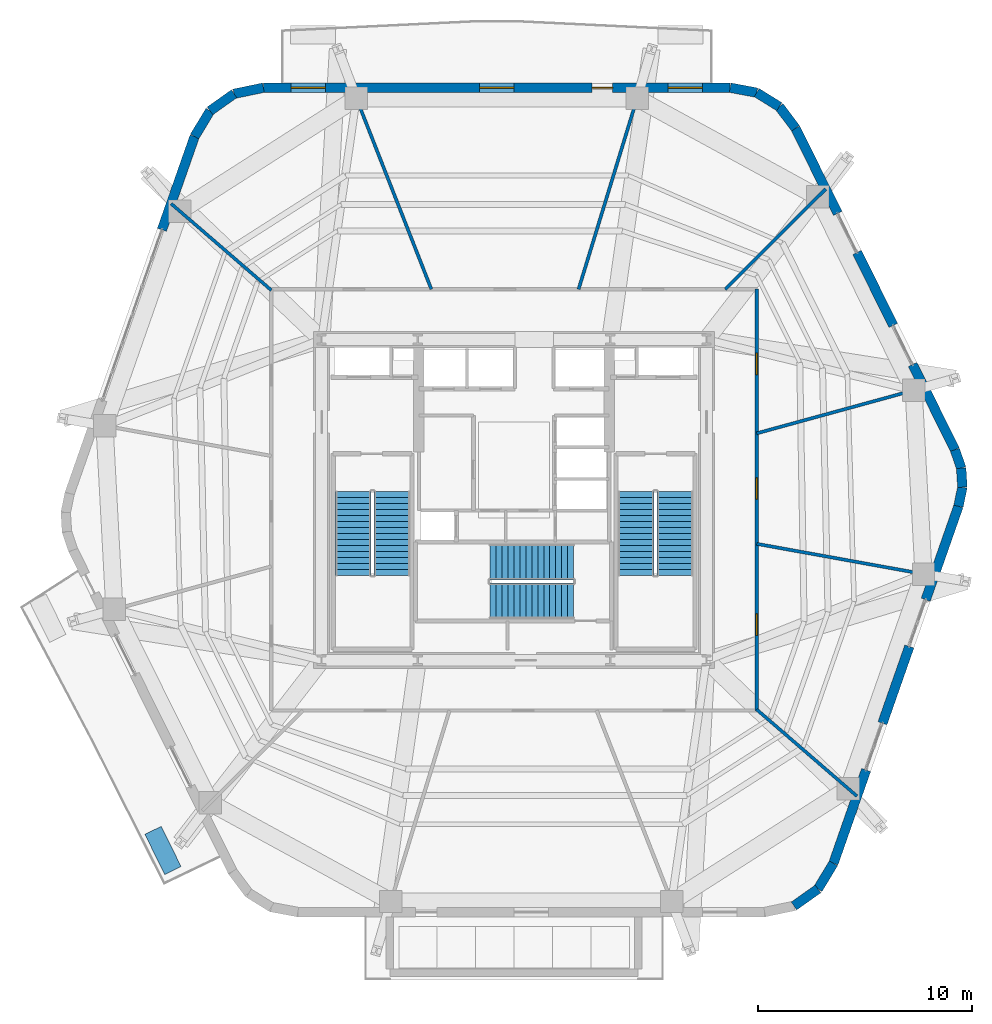
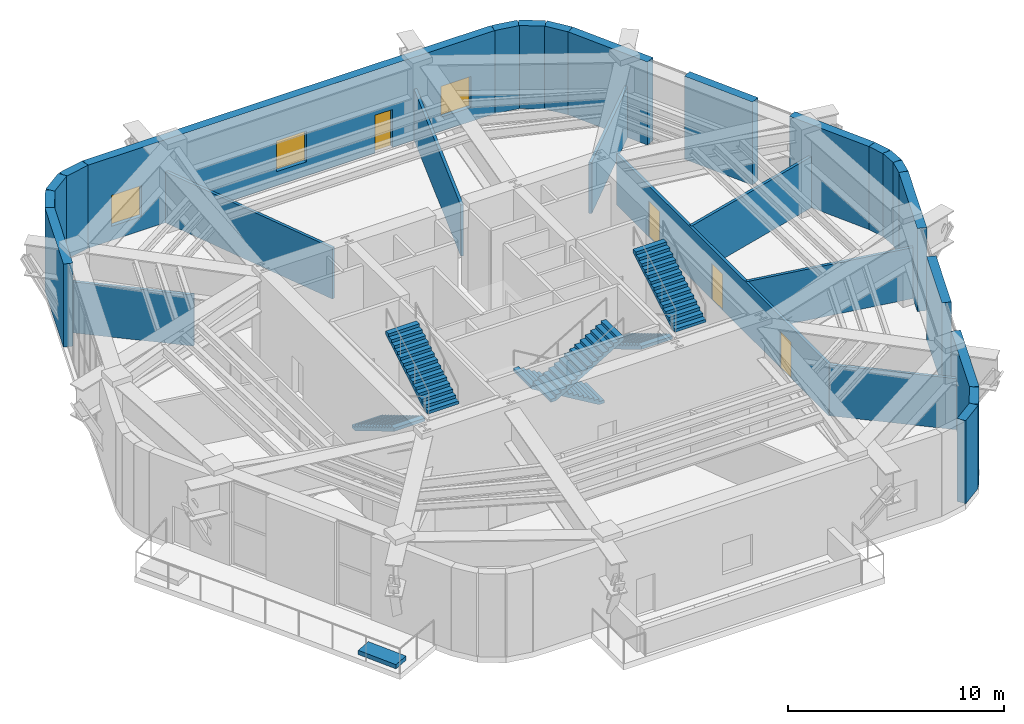
# One storey, part 15 of 18: 27 walls, 6 stair flights, 4 doors, 3 windows, 1 discrete accessory, 7 openings, 3 elements without a shape of their own.
"""IFC4 building model written with IfcOpenShell, lengths in metres."""

from ifc_helpers import new_model, si_unit, direction, frame, frame_2d, origin, origin_2d, place, context, subcontext, project, spatial, polyline, rectangle, outline, extrude, material, layer, layer_set, type_object, element, fill, aggregate, save


model = new_model("IFC4")

# Units and contexts
model_context = context("Model", 3, precision=1e-05, world=origin(), true_north=direction((0.0, 1.0)))
body_context = subcontext(model_context, "Body", "Model", "MODEL_VIEW")
ifc_project = project(units=[si_unit("LENGTHUNIT", "METRE"), si_unit("AREAUNIT", "SQUARE_METRE"), si_unit("VOLUMEUNIT", "CUBIC_METRE"), si_unit("PLANEANGLEUNIT", "RADIAN"), si_unit("MASSUNIT", "GRAM", prefix="KILO")], contexts=[model_context])

# Site, building, storey
site_placement = place(None, origin())
site = spatial("IfcSite", under=ifc_project, at=site_placement, CompositionType="ELEMENT")
building_placement = place(site_placement, origin())
building = spatial("IfcBuilding", under=site, at=building_placement, Name="Kilnhurst Terrace Hotel", CompositionType="ELEMENT")
storey_placement = place(building_placement, frame((0.0, 0.0, 201.5)))
storey = spatial("IfcBuildingStorey", under=building, at=storey_placement, Name="L50", CompositionType="ELEMENT", Elevation=201.5)

# Walls
ifc_material_1 = material(Name="Precast concrete C40/50", Category="concrete")
ifc_layer_1 = layer(ifc_material_1, 0.449951171875, Name="Precast concrete C40/50")
ifc_layer_set_1 = layer_set([ifc_layer_1], Name="Precast concrete C40/50")
wall_type_1 = type_object("IfcWallType", Name="WL-BRK-450", PredefinedType="SOLIDWALL", material=ifc_layer_set_1)
wall_1_placement = place(storey_placement, frame((13.091064453125, -18.989013671875, 0.0), z_axis=(0.0, 0.0, 1.0), x_axis=(0.815574637848, 0.578651890258, 0.0)))
element("IfcWall", 1, at=wall_1_placement, inside=storey, type_object=wall_type_1, Name="L50 Rounded Corner Brick Wall C2.2", PredefinedType="SOLIDWALL", context=body_context, shape_type="SweptSolid", body=[
    extrude(rectangle(XDim=1.376708984375, YDim=0.449951171875, at=frame_2d((0.6884765625, 0.0))), origin(), (0.0, 0.0, 1.0), 4.699951171875),
])
wall_2_placement = place(storey_placement, frame((14.2138671875, -18.1923828125, 0.0), z_axis=(0.0, 0.0, 1.0), x_axis=(0.516340945502, 0.856383108193, 0.0)))
element("IfcWall", 2, at=wall_2_placement, inside=storey, type_object=wall_type_1, Name="L50 Rounded Corner Brick Wall C2.3", PredefinedType="SOLIDWALL", context=body_context, shape_type="SweptSolid", body=[
    extrude(rectangle(XDim=1.400146484375, YDim=0.449951171875, at=frame_2d((0.7001953125, 0.0))), origin(), (0.0, 0.0, 1.0), 4.699951171875),
])
wall_3_placement = place(storey_placement, frame((20.78173828125, -0.298095703125, 0.0), z_axis=(0.0, 0.0, 1.0), x_axis=(0.202570068411, 0.979267771033, 0.0)))
element("IfcWall", 3, at=wall_3_placement, inside=storey, type_object=wall_type_1, Name="L50 Rounded Corner Brick Wall C3.1", PredefinedType="SOLIDWALL", context=body_context, shape_type="SweptSolid", body=[
    extrude(rectangle(XDim=0.90869140625, YDim=0.449951171875, at=frame_2d((0.454345703125, 0.0))), origin(), (0.0, 0.0, 1.0), 4.699951171875),
])
wall_4_placement = place(storey_placement, frame((20.9658203125, 0.591796875, 0.0), z_axis=(0.0, 0.0, 1.0), x_axis=(-0.061748898935, 0.998091715966, 0.0)))
element("IfcWall", 4, at=wall_4_placement, inside=storey, type_object=wall_type_1, Name="L50 Rounded Corner Brick Wall C3.2", PredefinedType="SOLIDWALL", context=body_context, shape_type="SweptSolid", body=[
    extrude(rectangle(XDim=0.8935546875, YDim=0.449951171875, at=frame_2d((0.44677734375, 0.0))), origin(), (0.0, 0.0, 1.0), 4.699951171875),
])
wall_5_placement = place(storey_placement, frame((20.91064453125, 1.483642578125, 0.0), z_axis=(0.0, 0.0, 1.0), x_axis=(-0.321623334353, 0.946867694453, 0.0)))
element("IfcWall", 5, at=wall_5_placement, inside=storey, type_object=wall_type_1, Name="L50 Rounded Corner Brick Wall C3.3", PredefinedType="SOLIDWALL", context=body_context, shape_type="SweptSolid", body=[
    extrude(rectangle(XDim=0.90869140625, YDim=0.449951171875, at=frame_2d((0.454345703125, 0.0))), origin(), (0.0, 0.0, 1.0), 4.699951171875),
])
wall_6_placement = place(storey_placement, frame((13.162353515625, 17.380615234375, 0.0), z_axis=(0.0, 0.0, 1.0), x_axis=(-0.601515770517, 0.798860925205, 0.0)))
element("IfcWall", 6, at=wall_6_placement, inside=storey, type_object=wall_type_1, Name="L50 Rounded Corner Brick Wall C4.1", PredefinedType="SOLIDWALL", context=body_context, shape_type="SweptSolid", body=[
    extrude(rectangle(XDim=1.261962890625, YDim=0.449951171875, at=frame_2d((0.630859375, 0.0))), origin(), (0.0, 0.0, 1.0), 4.699951171875),
])
wall_7_placement = place(storey_placement, frame((12.4033203125, 18.388671875, 0.0), z_axis=(0.0, 0.0, 1.0), x_axis=(-0.849795170926, 0.527113049991, 0.0)))
element("IfcWall", 7, at=wall_7_placement, inside=storey, type_object=wall_type_1, Name="L50 Rounded Corner Brick Wall C4.2", PredefinedType="SOLIDWALL", context=body_context, shape_type="SweptSolid", body=[
    extrude(rectangle(XDim=1.24072265625, YDim=0.449951171875, at=frame_2d((0.620361328125, 0.0))), origin(), (0.0, 0.0, 1.0), 4.699951171875),
])
wall_8_placement = place(storey_placement, frame((11.348876953125, 19.042724609375, 0.0), z_axis=(0.0, 0.0, 1.0), x_axis=(-0.982931267051, 0.183973161772, 0.0)))
element("IfcWall", 8, at=wall_8_placement, inside=storey, type_object=wall_type_1, Name="L50 Rounded Corner Brick Wall C4.3", PredefinedType="SOLIDWALL", context=body_context, shape_type="SweptSolid", body=[
    extrude(rectangle(XDim=1.261962890625, YDim=0.449951171875, at=frame_2d((0.630859375, 0.0))), origin(), (0.0, 0.0, 1.0), 4.699951171875),
])
wall_9_placement = place(storey_placement, frame((-11.720458984375, 19.27490234375, 0.0), z_axis=(0.0, 0.0, 1.0), x_axis=(-0.97893106758, -0.204191001093, 0.0)))
element("IfcWall", 9, at=wall_9_placement, inside=storey, type_object=wall_type_1, Name="L50 Rounded Corner Brick Wall C5.1", PredefinedType="SOLIDWALL", context=body_context, shape_type="SweptSolid", body=[
    extrude(rectangle(XDim=1.400146484375, YDim=0.449951171875, at=frame_2d((0.7001953125, 0.0))), origin(), (0.0, 0.0, 1.0), 4.699951171875),
])
wall_10_placement = place(storey_placement, frame((-13.091064453125, 18.989013671875, 0.0), z_axis=(0.0, 0.0, 1.0), x_axis=(-0.815574637848, -0.578651890258, 0.0)))
element("IfcWall", 10, at=wall_10_placement, inside=storey, type_object=wall_type_1, Name="L50 Rounded Corner Brick Wall C5.2", PredefinedType="SOLIDWALL", context=body_context, shape_type="SweptSolid", body=[
    extrude(rectangle(XDim=1.376708984375, YDim=0.449951171875, at=frame_2d((0.6884765625, 0.0))), origin(), (0.0, 0.0, 1.0), 4.699951171875),
])
wall_11_placement = place(storey_placement, frame((-14.2138671875, 18.1923828125, 0.0), z_axis=(0.0, 0.0, 1.0), x_axis=(-0.516340945502, -0.856383108193, 0.0)))
element("IfcWall", 11, at=wall_11_placement, inside=storey, type_object=wall_type_1, Name="L50 Rounded Corner Brick Wall C5.3", PredefinedType="SOLIDWALL", context=body_context, shape_type="SweptSolid", body=[
    extrude(rectangle(XDim=1.400146484375, YDim=0.449951171875, at=frame_2d((0.7001953125, 0.0))), origin(), (0.0, 0.0, 1.0), 4.699951171875),
])
wall_12_placement = place(storey_placement, frame((14.936767578125, -16.993408203125, 0.0), z_axis=(0.0, 0.0, 1.0), x_axis=(0.330437475159, 0.943827884209, 0.0)))
element("IfcWall", 12, at=wall_12_placement, inside=storey, type_object=wall_type_1, Name="L50 Face 2 Brick Pier 1", PredefinedType="SOLIDWALL", context=body_context, shape_type="SweptSolid", body=[
    extrude(rectangle(XDim=4.6220703125, YDim=0.449951171875, at=frame_2d((2.31103515625, 0.0))), origin(), (0.0, 0.0, 1.0), 4.699951171875),
])
wall_13_placement = place(storey_placement, frame((17.22998046875, -10.443115234375, 0.0), z_axis=(0.0, 0.0, 1.0), x_axis=(0.330436280441, 0.943828302483, 0.0)))
element("IfcWall", 13, at=wall_13_placement, inside=storey, type_object=wall_type_1, Name="L50 Face 2 Brick Pier 2", PredefinedType="SOLIDWALL", context=body_context, shape_type="SweptSolid", body=[
    extrude(rectangle(XDim=3.7998046875, YDim=0.449951171875, at=frame_2d((1.89990234375, 0.0))), origin(), (0.0, 0.0, 1.0), 4.699951171875),
])
wall_14_placement = place(storey_placement, frame((19.251708984375, -4.668701171875, 0.0), z_axis=(0.0, 0.0, 1.0), x_axis=(0.330411483424, 0.943836983606, 0.0)))
element("IfcWall", 14, at=wall_14_placement, inside=storey, type_object=wall_type_1, Name="L50 Face 2 End Brick Pier", PredefinedType="SOLIDWALL", context=body_context, shape_type="SweptSolid", body=[
    extrude(rectangle(XDim=4.630615234375, YDim=0.449951171875, at=frame_2d((2.3154296875, 0.0))), origin(), (0.0, 0.0, 1.0), 4.699951171875),
])
wall_15_placement = place(storey_placement, frame((20.618408203125, 2.343994140625, 0.0), z_axis=(0.0, 0.0, 1.0), x_axis=(-0.444248024627, 0.895903841166, 0.0)))
element("IfcWall", 15, at=wall_15_placement, inside=storey, type_object=wall_type_1, Name="L50 Face 3 Brick Pier 1", PredefinedType="SOLIDWALL", context=body_context, shape_type="SweptSolid", body=[
    extrude(rectangle(XDim=4.44921875, YDim=0.449951171875, at=frame_2d((2.224609375, 0.0))), origin(), (0.0, 0.0, 1.0), 4.699951171875),
])
wall_16_placement = place(storey_placement, frame((17.73291015625, 8.1630859375, 0.0), z_axis=(0.0, 0.0, 1.0), x_axis=(-0.444229875213, 0.895912840609, 0.0)))
element("IfcWall", 16, at=wall_16_placement, inside=storey, type_object=wall_type_1, Name="L50 Face 3 Brick Pier 2", PredefinedType="SOLIDWALL", context=body_context, shape_type="SweptSolid", body=[
    extrude(rectangle(XDim=3.7998046875, YDim=0.449951171875, at=frame_2d((1.89990234375, 0.0))), origin(), (0.0, 0.0, 1.0), 4.699951171875),
])
wall_17_placement = place(storey_placement, frame((15.135986328125, 13.400390625, 0.0), z_axis=(0.0, 0.0, 1.0), x_axis=(-0.444243648127, 0.895906011308, 0.0)))
element("IfcWall", 17, at=wall_17_placement, inside=storey, type_object=wall_type_1, Name="L50 Face 3 End Brick Pier", PredefinedType="SOLIDWALL", context=body_context, shape_type="SweptSolid", body=[
    extrude(rectangle(XDim=4.442626953125, YDim=0.449951171875, at=frame_2d((2.22119140625, 0.0))), origin(), (0.0, 0.0, 1.0), 4.699951171875),
])

# Wall, openings, door, windows
wall_18_placement = place(storey_placement, frame((10.1083984375, 19.27490234375, 0.0), z_axis=(0.0, 0.0, 1.0), x_axis=(-1.0, 0.0, 0.0)))
wall_18 = element("IfcWall", 18, at=wall_18_placement, inside=storey, type_object=wall_type_1, Name="L50 Exterior Brick Facade Wall F4", PredefinedType="SOLIDWALL", context=body_context, shape_type="SweptSolid", body=[
    extrude(rectangle(XDim=21.828857421875, YDim=0.449951171875, at=frame_2d((10.91455078125, 0.0))), origin(), (0.0, 0.0, 1.0), 4.699951171875),
])
opening_1_placement = place(wall_18_placement, frame((5.5029296875, 0.0, 0.0)))
opening_1 = element("IfcOpeningElement", 19, at=opening_1_placement, cuts=wall_18, Name="Opening BD-950", PredefinedType="OPENING", context=body_context, shape_type="SweptSolid", body=[
    extrude(rectangle(XDim=0.949951171875, YDim=2.14990234375, at=frame_2d((0.47509765625, 1.074951171875))), frame((0.0, 0.23486328125, 0.0), z_axis=(0.0, -1.0, 0.0), x_axis=(1.0, 0.0, 0.0)), (0.0, 0.0, 1.0), 0.469970703125),
])
opening_2_placement = place(wall_18_placement, frame((1.297119140625, 0.0, 0.800048828125)))
opening_2 = element("IfcOpeningElement", 20, at=opening_2_placement, cuts=wall_18, Name="Opening W-05", PredefinedType="OPENING", context=body_context, shape_type="SweptSolid", body=[
    extrude(rectangle(XDim=1.60009765625, YDim=1.75, at=frame_2d((0.800048828125, 0.875))), frame((0.0, 0.23486328125, 0.0), z_axis=(0.0, -1.0, 0.0), x_axis=(1.0, 0.0, 0.0)), (0.0, 0.0, 1.0), 0.469970703125),
])
opening_3_placement = place(wall_18_placement, frame((10.114990234375, 0.0, 0.800048828125)))
opening_3 = element("IfcOpeningElement", 21, at=opening_3_placement, cuts=wall_18, Name="Opening W-05", PredefinedType="OPENING", context=body_context, shape_type="SweptSolid", body=[
    extrude(rectangle(XDim=1.60009765625, YDim=1.75, at=frame_2d((0.800048828125, 0.875))), frame((0.0, 0.23486328125, 0.0), z_axis=(0.0, -1.0, 0.0), x_axis=(1.0, 0.0, 0.0)), (0.0, 0.0, 1.0), 0.469970703125),
])
opening_4_placement = place(wall_18_placement, frame((18.93310546875, 0.0, 0.800048828125)))
opening_4 = element("IfcOpeningElement", 22, at=opening_4_placement, cuts=wall_18, Name="Opening W-05", PredefinedType="OPENING", context=body_context, shape_type="SweptSolid", body=[
    extrude(rectangle(XDim=1.60009765625, YDim=1.75, at=frame_2d((0.800048828125, 0.875))), frame((0.0, 0.23486328125, 0.0), z_axis=(0.0, -1.0, 0.0), x_axis=(1.0, 0.0, 0.0)), (0.0, 0.0, 1.0), 0.469970703125),
])
ifc_material_2 = material(Name="Thermally Broken Bronze Aluminium Alloy 6063-T6 and Laminated Glass", Category="aluminium")
door_type_1 = type_object("IfcDoorType", Name="DR-EXT-BAL-950", OperationType="NOTDEFINED", PredefinedType="DOOR", material=ifc_material_2)
door_1_placement = place(opening_1_placement, origin())
door_1 = element("IfcDoor", 23, at=door_1_placement, inside=storey, type_object=door_type_1, Name="L50 Planted Balcony Door BAL-L1A", OperationType="SINGLE_SWING_RIGHT", OverallHeight=2.14990234375, OverallWidth=0.949951171875, PredefinedType="DOOR", context=body_context, shape_type="SweptSolid", body=[
    extrude(rectangle(XDim=0.949951171875, YDim=2.14990234375, at=frame_2d((0.47509765625, 1.074951171875))), frame((0.0, 0.02490234375, 0.0), z_axis=(0.0, -1.0, 0.0), x_axis=(1.0, 0.0, 0.0)), (0.0, 0.0, 1.0), 0.050048828125),
])
fill(opening_1, door_1)
ifc_material_3 = material(Name="Thermally Broken Bronze Aluminium Alloy 6063-T6 and Low-E Glass", Category="aluminium")
window_type = type_object("IfcWindowType", Name="WIN-1600X1750", PartitioningType="SINGLE_PANEL", PredefinedType="WINDOW", material=ifc_material_3)
window_1_placement = place(opening_2_placement, origin())
window_1 = element("IfcWindow", 24, at=window_1_placement, inside=storey, type_object=window_type, Name="L50 Deep-Set Masonry Window F4.1", OverallHeight=1.75, OverallWidth=1.60009765625, PartitioningType="SINGLE_PANEL", PredefinedType="WINDOW", context=body_context, shape_type="SweptSolid", body=[
    extrude(rectangle(XDim=1.60009765625, YDim=1.75, at=frame_2d((0.800048828125, 0.875))), frame((0.0, 0.030029296875, 0.0), z_axis=(0.0, -1.0, 0.0), x_axis=(1.0, 0.0, 0.0)), (0.0, 0.0, 1.0), 0.06005859375),
])
fill(opening_2, window_1)
window_2_placement = place(opening_3_placement, origin())
window_2 = element("IfcWindow", 25, at=window_2_placement, inside=storey, type_object=window_type, Name="L50 Deep-Set Masonry Window F4.2", OverallHeight=1.75, OverallWidth=1.60009765625, PartitioningType="SINGLE_PANEL", PredefinedType="WINDOW", context=body_context, shape_type="SweptSolid", body=[
    extrude(rectangle(XDim=1.60009765625, YDim=1.75, at=frame_2d((0.800048828125, 0.875))), frame((0.0, 0.030029296875, 0.0), z_axis=(0.0, -1.0, 0.0), x_axis=(1.0, 0.0, 0.0)), (0.0, 0.0, 1.0), 0.06005859375),
])
fill(opening_3, window_2)
window_3_placement = place(opening_4_placement, origin())
window_3 = element("IfcWindow", 26, at=window_3_placement, inside=storey, type_object=window_type, Name="L50 Deep-Set Masonry Window F4.3", OverallHeight=1.75, OverallWidth=1.60009765625, PartitioningType="SINGLE_PANEL", PredefinedType="WINDOW", context=body_context, shape_type="SweptSolid", body=[
    extrude(rectangle(XDim=1.60009765625, YDim=1.75, at=frame_2d((0.800048828125, 0.875))), frame((0.0, 0.030029296875, 0.0), z_axis=(0.0, -1.0, 0.0), x_axis=(1.0, 0.0, 0.0)), (0.0, 0.0, 1.0), 0.06005859375),
])
fill(opening_4, window_3)

# Wall
wall_19_placement = place(storey_placement, frame((-14.936767578125, 16.993408203125, 0.0), z_axis=(0.0, 0.0, 1.0), x_axis=(-0.330437475159, -0.943827884209, 0.0)))
element("IfcWall", 27, at=wall_19_placement, inside=storey, type_object=wall_type_1, Name="L50 Face 5 Brick Pier 1", PredefinedType="SOLIDWALL", context=body_context, shape_type="SweptSolid", body=[
    extrude(rectangle(XDim=4.6220703125, YDim=0.449951171875, at=frame_2d((2.31103515625, 0.0))), origin(), (0.0, 0.0, 1.0), 4.699951171875),
])

# Wall, openings, doors
ifc_material_4 = material(Name="Acoustic Double-Gypsum Corridor Partition Assembly")
ifc_layer_2 = layer(ifc_material_4, 0.14990234375, Name="Acoustic Double-Gypsum Corridor Partition Assembly")
ifc_layer_set_2 = layer_set([ifc_layer_2], Name="Acoustic Double-Gypsum Corridor Partition Assembly")
wall_type_2 = type_object("IfcWallType", Name="WL-COR-150", PredefinedType="PARTITIONING", material=ifc_layer_set_2)
wall_20_placement = place(storey_placement, frame((11.35009765625, 9.85009765625, 0.0), z_axis=(0.0, 0.0, 1.0), x_axis=(0.0, -1.0, 0.0)))
wall_20 = element("IfcWall", 28, at=wall_20_placement, inside=storey, type_object=wall_type_2, Name="L50 Interior Wall WL-L50-COR-03", PredefinedType="PARTITIONING", context=body_context, shape_type="SweptSolid", body=[
    extrude(rectangle(XDim=19.7001953125, YDim=0.14990234375, at=frame_2d((9.85009765625, 0.0))), origin(), (0.0, 0.0, 1.0), 2.889892578125),
])
opening_5_placement = place(wall_20_placement, frame((2.989013671875, 0.0, 0.0)))
opening_5 = element("IfcOpeningElement", 29, at=opening_5_placement, cuts=wall_20, Name="Opening D-10A", PredefinedType="OPENING", context=body_context, shape_type="SweptSolid", body=[
    extrude(rectangle(XDim=1.0, YDim=2.030029296875, at=frame_2d((0.5, 1.01513671875))), frame((0.0, 0.0849609375, 0.0), z_axis=(0.0, -1.0, 0.0), x_axis=(1.0, 0.0, 0.0)), (0.0, 0.0, 1.0), 0.169921875),
])
opening_6_placement = place(wall_20_placement, frame((15.18310546875, 0.0, 0.0)))
opening_6 = element("IfcOpeningElement", 30, at=opening_6_placement, cuts=wall_20, Name="Opening D-10A", PredefinedType="OPENING", context=body_context, shape_type="SweptSolid", body=[
    extrude(rectangle(XDim=1.0, YDim=2.030029296875, at=frame_2d((0.5, 1.01513671875))), frame((0.0, 0.0849609375, 0.0), z_axis=(0.0, -1.0, 0.0), x_axis=(1.0, 0.0, 0.0)), (0.0, 0.0, 1.0), 0.169921875),
])
opening_7_placement = place(wall_20_placement, frame((8.819091796875, 0.0, 0.0)))
opening_7 = element("IfcOpeningElement", 31, at=opening_7_placement, cuts=wall_20, Name="Opening D-10A", PredefinedType="OPENING", context=body_context, shape_type="SweptSolid", body=[
    extrude(rectangle(XDim=1.0, YDim=2.030029296875, at=frame_2d((0.5, 1.01513671875))), frame((0.0, 0.0849609375, 0.0), z_axis=(0.0, -1.0, 0.0), x_axis=(1.0, 0.0, 0.0)), (0.0, 0.0, 1.0), 0.169921875),
])
ifc_material_5 = material(Name="Solid-Core American White Oak Interior Door")
door_type_2 = type_object("IfcDoorType", Name="DR-INT-1000", OperationType="NOTDEFINED", PredefinedType="DOOR", material=ifc_material_5)
door_2_placement = place(opening_5_placement, origin())
door_2 = element("IfcDoor", 32, at=door_2_placement, inside=storey, type_object=door_type_2, Name="L50 Sky Spa Reception and Thermal Lounge West Wing Door", OperationType="SINGLE_SWING_LEFT", OverallHeight=2.030029296875, OverallWidth=1.0, PredefinedType="DOOR", context=body_context, shape_type="SweptSolid", body=[
    extrude(rectangle(XDim=1.0, YDim=2.030029296875, at=frame_2d((0.5, 1.01513671875))), frame((0.0, 0.02490234375, 0.0), z_axis=(0.0, -1.0, 0.0), x_axis=(1.0, 0.0, 0.0)), (0.0, 0.0, 1.0), 0.050048828125),
])
fill(opening_5, door_2)
door_3_placement = place(opening_6_placement, origin())
door_3 = element("IfcDoor", 33, at=door_3_placement, inside=storey, type_object=door_type_2, Name="L50 Public Spa Restrooms Block Door", OperationType="SINGLE_SWING_LEFT", OverallHeight=2.030029296875, OverallWidth=1.0, PredefinedType="DOOR", context=body_context, shape_type="SweptSolid", body=[
    extrude(rectangle(XDim=1.0, YDim=2.030029296875, at=frame_2d((0.5, 1.01513671875))), frame((0.0, 0.02490234375, 0.0), z_axis=(0.0, -1.0, 0.0), x_axis=(1.0, 0.0, 0.0)), (0.0, 0.0, 1.0), 0.050048828125),
])
fill(opening_6, door_3)
door_4_placement = place(opening_7_placement, origin())
door_4 = element("IfcDoor", 34, at=door_4_placement, inside=storey, type_object=door_type_2, Name="L50 Spa Accessible Toilets Block Door", OperationType="SINGLE_SWING_RIGHT", OverallHeight=2.030029296875, OverallWidth=1.0, PredefinedType="DOOR", context=body_context, shape_type="SweptSolid", body=[
    extrude(rectangle(XDim=1.0, YDim=2.030029296875, at=frame_2d((0.5, 1.01513671875))), frame((0.0, 0.02490234375, 0.0), z_axis=(0.0, -1.0, 0.0), x_axis=(1.0, 0.0, 0.0)), (0.0, 0.0, 1.0), 0.050048828125),
])
fill(opening_7, door_4)

# Walls
ifc_material_6 = material(Name="150 mm Acoustic Gypsum Hospitality Partition")
ifc_layer_3 = layer(ifc_material_6, 0.14990234375, Name="150 mm Acoustic Gypsum Hospitality Partition")
ifc_layer_set_3 = layer_set([ifc_layer_3], Name="150 mm Acoustic Gypsum Hospitality Partition")
wall_type_3 = type_object("IfcWallType", Name="WL-PART-150", PredefinedType="PARTITIONING", material=ifc_layer_set_3)
wall_21_placement = place(storey_placement, frame((11.35009765625, 3.1123046875, 0.0), z_axis=(0.0, 0.0, 1.0), x_axis=(0.964400374182, 0.264446437445, 0.0)))
element("IfcWall", 35, at=wall_21_placement, inside=storey, type_object=wall_type_3, Name="L50 Interior Wall WL-L50-SCOL-01-1", PredefinedType="PARTITIONING", context=body_context, shape_type="SweptSolid", body=[
    extrude(rectangle(XDim=8.1123046875, YDim=0.14990234375, at=frame_2d((4.05615234375, 0.0))), origin(), (0.0, 0.0, 1.0), 2.889892578125),
])
wall_22_placement = place(storey_placement, frame((9.87646484375, 9.85009765625, 0.0), z_axis=(0.0, 0.0, 1.0), x_axis=(0.708044623933, 0.706167692917, 0.0)))
element("IfcWall", 36, at=wall_22_placement, inside=storey, type_object=wall_type_3, Name="L50 Interior Wall WL-L50-SCOL-02-1", PredefinedType="PARTITIONING", context=body_context, shape_type="SweptSolid", body=[
    extrude(rectangle(XDim=6.6337890625, YDim=0.14990234375, at=frame_2d((3.31689453125, 0.0))), origin(), (0.0, 0.0, 1.0), 2.889892578125),
])
wall_23_placement = place(storey_placement, frame((3.0185546875, 9.85009765625, 0.0), z_axis=(0.0, 0.0, 1.0), x_axis=(0.292996168014, 0.956113615387, 0.0)))
element("IfcWall", 37, at=wall_23_placement, inside=storey, type_object=wall_type_3, Name="L50 Interior Wall WL-L50-SCOL-03-1", PredefinedType="PARTITIONING", context=body_context, shape_type="SweptSolid", body=[
    extrude(rectangle(XDim=9.857421875, YDim=0.14990234375, at=frame_2d((4.9287109375, 0.0))), origin(), (0.0, 0.0, 1.0), 2.889892578125),
])
wall_24_placement = place(storey_placement, frame((-3.864990234375, 9.85009765625, 0.0), z_axis=(0.0, 0.0, 1.0), x_axis=(-0.365279308356, 0.930897968033, 0.0)))
element("IfcWall", 38, at=wall_24_placement, inside=storey, type_object=wall_type_3, Name="L50 Interior Wall WL-L50-SCOL-04-1", PredefinedType="PARTITIONING", context=body_context, shape_type="SweptSolid", body=[
    extrude(rectangle(XDim=10.12451171875, YDim=0.14990234375, at=frame_2d((5.062255859375, 0.0))), origin(), (0.0, 0.0, 1.0), 2.889892578125),
])
for number, where, z_axis, x_axis, name in (
    (39, (-11.35009765625, 9.804931640625, 0.0), (0.0, 0.0, 1.0), (-0.75671839422, 0.653740982232, 0.0), "L50 Interior Wall WL-L50-SCOL-05-1"),
    (40, (11.35009765625, -9.804931640625, 0.0), (0.0, 0.0, 1.0), (0.75671839422, -0.653740982232, 0.0), "L50 Interior Wall WL-L50-SCOL-11-1"),
):
    element("IfcWall", number, at=place(storey_placement, frame(where, z_axis=z_axis, x_axis=x_axis)), inside=storey, type_object=wall_type_3, Name=name, PredefinedType="PARTITIONING", context=body_context, shape_type="SweptSolid", body=[
        extrude(rectangle(XDim=6.192626953125, YDim=0.14990234375, at=frame_2d((3.09619140625, 0.0))), origin(), (0.0, 0.0, 1.0), 2.889892578125),
    ])
wall_25_placement = place(storey_placement, frame((11.35009765625, -2.05517578125, 0.0), z_axis=(0.0, 0.0, 1.0), x_axis=(0.983999921986, -0.178168890468, 0.0)))
element("IfcWall", 41, at=wall_25_placement, inside=storey, type_object=wall_type_3, Name="L50 Interior Wall WL-L50-SCOL-12-1", PredefinedType="PARTITIONING", context=body_context, shape_type="SweptSolid", body=[
    extrude(rectangle(XDim=8.42578125, YDim=0.14990234375, at=frame_2d((4.212890625, 0.0))), origin(), (0.0, 0.0, 1.0), 2.889892578125),
])

# Stair, stair flights
ifc_material_7 = material(Name="Concrete C50/60", Category="concrete")
stair_type = type_object("IfcStairType", Name="STR-CORE-1660", PredefinedType="HALF_TURN_STAIR", material=ifc_material_7)
stair_1_placement = place(storey_placement, origin())
stair_1 = element("IfcStair", 42, at=stair_1_placement, inside=storey, type_object=stair_type, Name="L50 ST-1", PredefinedType="HALF_TURN_STAIR")
stair_flight_type = type_object("IfcStairFlightType", Name="FLT-RC-1660", PredefinedType="STRAIGHT", material=ifc_material_7)
stair_flight_1_placement = place(storey_placement, frame((-7.52001953125, 0.389892578125, 0.0), z_axis=(0.0, 0.0, 1.0), x_axis=(0.0, -1.0, 0.0)))
stair_flight_1 = element("IfcStairFlight", 43, at=stair_flight_1_placement, type_object=stair_flight_type, Name="ST-1 flight 1", NumberOfRisers=15, NumberOfTreads=14, PredefinedType="STRAIGHT", RiserHeight=0.166666667, TreadLength=0.28, context=body_context, shape_type="SweptSolid", body=[
    extrude(outline(polyline([(0.0, 0.0), (0.0, 0.166748046875), (0.280029296875, 0.166748046875), (0.280029296875, 0.333251953125), (0.56005859375, 0.333251953125), (0.56005859375, 0.5), (0.840087890625, 0.5), (0.840087890625, 0.666748046875), (1.1201171875, 0.666748046875), (1.1201171875, 0.833251953125), (1.39990234375, 0.833251953125), (1.39990234375, 1.0), (1.679931640625, 1.0), (1.679931640625, 1.166748046875), (1.9599609375, 1.166748046875), (1.9599609375, 1.333251953125), (2.239990234375, 1.333251953125), (2.239990234375, 1.5), (2.52001953125, 1.5), (2.52001953125, 1.666748046875), (2.800048828125, 1.666748046875), (2.800048828125, 1.833251953125), (3.080078125, 1.833251953125), (3.080078125, 2.0), (3.360107421875, 2.0), (3.360107421875, 2.166748046875), (3.639892578125, 2.166748046875), (3.639892578125, 2.333251953125), (3.919921875, 2.333251953125), (3.919921875, 2.5), (3.919921875, 2.158935546875), (0.29296875, 0.0), (0.0, 0.0)])), frame((0.0, 0.830078125, 0.0), z_axis=(0.0, -1.0, 0.0), x_axis=(1.0, 0.0, 0.0)), (0.0, 0.0, 1.0), 1.659912109375),
])
stair_flight_2_placement = place(storey_placement, frame((-5.7099609375, -3.530029296875, 2.5), z_axis=(0.0, 0.0, 1.0), x_axis=(0.0, 1.0, 0.0)))
stair_flight_2 = element("IfcStairFlight", 44, at=stair_flight_2_placement, type_object=stair_flight_type, Name="ST-1 flight 2", NumberOfRisers=15, NumberOfTreads=14, PredefinedType="STRAIGHT", RiserHeight=0.166666667, TreadLength=0.28, context=body_context, shape_type="SweptSolid", body=[
    extrude(outline(polyline([(0.0, 0.0), (0.0, 0.166748046875), (0.280029296875, 0.166748046875), (0.280029296875, 0.333251953125), (0.56005859375, 0.333251953125), (0.56005859375, 0.5), (0.840087890625, 0.5), (0.840087890625, 0.666748046875), (1.1201171875, 0.666748046875), (1.1201171875, 0.833251953125), (1.39990234375, 0.833251953125), (1.39990234375, 1.0), (1.679931640625, 1.0), (1.679931640625, 1.166748046875), (1.9599609375, 1.166748046875), (1.9599609375, 1.333251953125), (2.239990234375, 1.333251953125), (2.239990234375, 1.5), (2.52001953125, 1.5), (2.52001953125, 1.666748046875), (2.800048828125, 1.666748046875), (2.800048828125, 1.833251953125), (3.080078125, 1.833251953125), (3.080078125, 2.0), (3.360107421875, 2.0), (3.360107421875, 2.166748046875), (3.639892578125, 2.166748046875), (3.639892578125, 2.333251953125), (3.919921875, 2.333251953125), (3.919921875, 2.5), (3.919921875, 2.158935546875), (0.29296875, 0.0), (0.0, 0.0)])), frame((0.0, 0.830078125, 0.0), z_axis=(0.0, -1.0, 0.0), x_axis=(1.0, 0.0, 0.0)), (0.0, 0.0, 1.0), 1.659912109375),
])
aggregate(stair_1, [stair_flight_1, stair_flight_2])

stair_2_placement = place(storey_placement, origin())
stair_2 = element("IfcStair", 45, at=stair_2_placement, inside=storey, type_object=stair_type, Name="L50 ST-2", PredefinedType="HALF_TURN_STAIR")
stair_flight_3_placement = place(storey_placement, frame((5.7099609375, 0.389892578125, 0.0), z_axis=(0.0, 0.0, 1.0), x_axis=(0.0, -1.0, 0.0)))
stair_flight_3 = element("IfcStairFlight", 46, at=stair_flight_3_placement, type_object=stair_flight_type, Name="ST-2 flight 1", NumberOfRisers=15, NumberOfTreads=14, PredefinedType="STRAIGHT", RiserHeight=0.166666667, TreadLength=0.28, context=body_context, shape_type="SweptSolid", body=[
    extrude(outline(polyline([(0.0, 0.0), (0.0, 0.166748046875), (0.280029296875, 0.166748046875), (0.280029296875, 0.333251953125), (0.56005859375, 0.333251953125), (0.56005859375, 0.5), (0.840087890625, 0.5), (0.840087890625, 0.666748046875), (1.1201171875, 0.666748046875), (1.1201171875, 0.833251953125), (1.39990234375, 0.833251953125), (1.39990234375, 1.0), (1.679931640625, 1.0), (1.679931640625, 1.166748046875), (1.9599609375, 1.166748046875), (1.9599609375, 1.333251953125), (2.239990234375, 1.333251953125), (2.239990234375, 1.5), (2.52001953125, 1.5), (2.52001953125, 1.666748046875), (2.800048828125, 1.666748046875), (2.800048828125, 1.833251953125), (3.080078125, 1.833251953125), (3.080078125, 2.0), (3.360107421875, 2.0), (3.360107421875, 2.166748046875), (3.639892578125, 2.166748046875), (3.639892578125, 2.333251953125), (3.919921875, 2.333251953125), (3.919921875, 2.5), (3.919921875, 2.158935546875), (0.29296875, 0.0), (0.0, 0.0)])), frame((0.0, 0.830078125, 0.0), z_axis=(0.0, -1.0, 0.0), x_axis=(1.0, 0.0, 0.0)), (0.0, 0.0, 1.0), 1.659912109375),
])
stair_flight_4_placement = place(storey_placement, frame((7.52001953125, -3.530029296875, 2.5), z_axis=(0.0, 0.0, 1.0), x_axis=(0.0, 1.0, 0.0)))
stair_flight_4 = element("IfcStairFlight", 47, at=stair_flight_4_placement, type_object=stair_flight_type, Name="ST-2 flight 2", NumberOfRisers=15, NumberOfTreads=14, PredefinedType="STRAIGHT", RiserHeight=0.166666667, TreadLength=0.28, context=body_context, shape_type="SweptSolid", body=[
    extrude(outline(polyline([(0.0, 0.0), (0.0, 0.166748046875), (0.280029296875, 0.166748046875), (0.280029296875, 0.333251953125), (0.56005859375, 0.333251953125), (0.56005859375, 0.5), (0.840087890625, 0.5), (0.840087890625, 0.666748046875), (1.1201171875, 0.666748046875), (1.1201171875, 0.833251953125), (1.39990234375, 0.833251953125), (1.39990234375, 1.0), (1.679931640625, 1.0), (1.679931640625, 1.166748046875), (1.9599609375, 1.166748046875), (1.9599609375, 1.333251953125), (2.239990234375, 1.333251953125), (2.239990234375, 1.5), (2.52001953125, 1.5), (2.52001953125, 1.666748046875), (2.800048828125, 1.666748046875), (2.800048828125, 1.833251953125), (3.080078125, 1.833251953125), (3.080078125, 2.0), (3.360107421875, 2.0), (3.360107421875, 2.166748046875), (3.639892578125, 2.166748046875), (3.639892578125, 2.333251953125), (3.919921875, 2.333251953125), (3.919921875, 2.5), (3.919921875, 2.158935546875), (0.29296875, 0.0), (0.0, 0.0)])), frame((0.0, 0.830078125, 0.0), z_axis=(0.0, -1.0, 0.0), x_axis=(1.0, 0.0, 0.0)), (0.0, 0.0, 1.0), 1.659912109375),
])
aggregate(stair_2, [stair_flight_3, stair_flight_4])

stair_3_placement = place(storey_placement, origin())
stair_3 = element("IfcStair", 48, at=stair_3_placement, inside=storey, type_object=stair_type, Name="L50 ST-3", PredefinedType="HALF_TURN_STAIR")
stair_flight_5_placement = place(storey_placement, frame((2.7900390625, -2.909912109375, 0.0), z_axis=(0.0, 0.0, 1.0), x_axis=(-1.0, 0.0, 0.0)))
stair_flight_5 = element("IfcStairFlight", 49, at=stair_flight_5_placement, type_object=stair_flight_type, Name="ST-3 flight 1", NumberOfRisers=15, NumberOfTreads=14, PredefinedType="STRAIGHT", RiserHeight=0.166666667, TreadLength=0.28, context=body_context, shape_type="SweptSolid", body=[
    extrude(outline(polyline([(0.0, 0.0), (0.0, 0.166748046875), (0.280029296875, 0.166748046875), (0.280029296875, 0.333251953125), (0.56005859375, 0.333251953125), (0.56005859375, 0.5), (0.840087890625, 0.5), (0.840087890625, 0.666748046875), (1.1201171875, 0.666748046875), (1.1201171875, 0.833251953125), (1.39990234375, 0.833251953125), (1.39990234375, 1.0), (1.679931640625, 1.0), (1.679931640625, 1.166748046875), (1.9599609375, 1.166748046875), (1.9599609375, 1.333251953125), (2.239990234375, 1.333251953125), (2.239990234375, 1.5), (2.52001953125, 1.5), (2.52001953125, 1.666748046875), (2.800048828125, 1.666748046875), (2.800048828125, 1.833251953125), (3.080078125, 1.833251953125), (3.080078125, 2.0), (3.360107421875, 2.0), (3.360107421875, 2.166748046875), (3.639892578125, 2.166748046875), (3.639892578125, 2.333251953125), (3.919921875, 2.333251953125), (3.919921875, 2.5), (3.919921875, 2.158935546875), (0.29296875, 0.0), (0.0, 0.0)])), frame((0.0, 0.830078125, 0.0), z_axis=(0.0, -1.0, 0.0), x_axis=(1.0, 0.0, 0.0)), (0.0, 0.0, 1.0), 1.659912109375),
])
stair_flight_6_placement = place(storey_placement, frame((-1.1298828125, -4.719970703125, 2.5), z_axis=(0.0, 0.0, 1.0), x_axis=(1.0, 0.0, 0.0)))
stair_flight_6 = element("IfcStairFlight", 50, at=stair_flight_6_placement, type_object=stair_flight_type, Name="ST-3 flight 2", NumberOfRisers=15, NumberOfTreads=14, PredefinedType="STRAIGHT", RiserHeight=0.166666667, TreadLength=0.28, context=body_context, shape_type="SweptSolid", body=[
    extrude(outline(polyline([(0.0, 0.0), (0.0, 0.166748046875), (0.280029296875, 0.166748046875), (0.280029296875, 0.333251953125), (0.56005859375, 0.333251953125), (0.56005859375, 0.5), (0.840087890625, 0.5), (0.840087890625, 0.666748046875), (1.1201171875, 0.666748046875), (1.1201171875, 0.833251953125), (1.39990234375, 0.833251953125), (1.39990234375, 1.0), (1.679931640625, 1.0), (1.679931640625, 1.166748046875), (1.9599609375, 1.166748046875), (1.9599609375, 1.333251953125), (2.239990234375, 1.333251953125), (2.239990234375, 1.5), (2.52001953125, 1.5), (2.52001953125, 1.666748046875), (2.800048828125, 1.666748046875), (2.800048828125, 1.833251953125), (3.080078125, 1.833251953125), (3.080078125, 2.0), (3.360107421875, 2.0), (3.360107421875, 2.166748046875), (3.639892578125, 2.166748046875), (3.639892578125, 2.333251953125), (3.919921875, 2.333251953125), (3.919921875, 2.5), (3.919921875, 2.158935546875), (0.29296875, 0.0), (0.0, 0.0)])), frame((0.0, 0.830078125, 0.0), z_axis=(0.0, -1.0, 0.0), x_axis=(1.0, 0.0, 0.0)), (0.0, 0.0, 1.0), 1.659912109375),
])
aggregate(stair_3, [stair_flight_5, stair_flight_6])

# Discrete accessory
ifc_material_8 = material(Name="Precast Concrete C40/50 Shrub Planter", Category="concrete")
discrete_accessory_type = type_object("IfcDiscreteAccessoryType", Name="PLN-SHRUB-240", PredefinedType="USERDEFINED", material=ifc_material_8)
discrete_accessory_placement = place(storey_placement, frame((-16.414306640625, -16.393310546875, 0.0), z_axis=(0.0, 0.0, 1.0), x_axis=(0.444244308887, -0.895905683664, 0.0)))
element("IfcDiscreteAccessory", 51, at=discrete_accessory_placement, inside=storey, type_object=discrete_accessory_type, Name="L50 Structural Tree Planter Box PLANTER BAL-L2A.2", ObjectType="PLANTER", PredefinedType="USERDEFINED", context=body_context, shape_type="SweptSolid", body=[
    extrude(rectangle(XDim=2.10009765625, YDim=0.85009765625, at=origin_2d()), origin(), (0.0, 0.0, 1.0), 0.239990234375),
])

save(model, "model.ifc")
